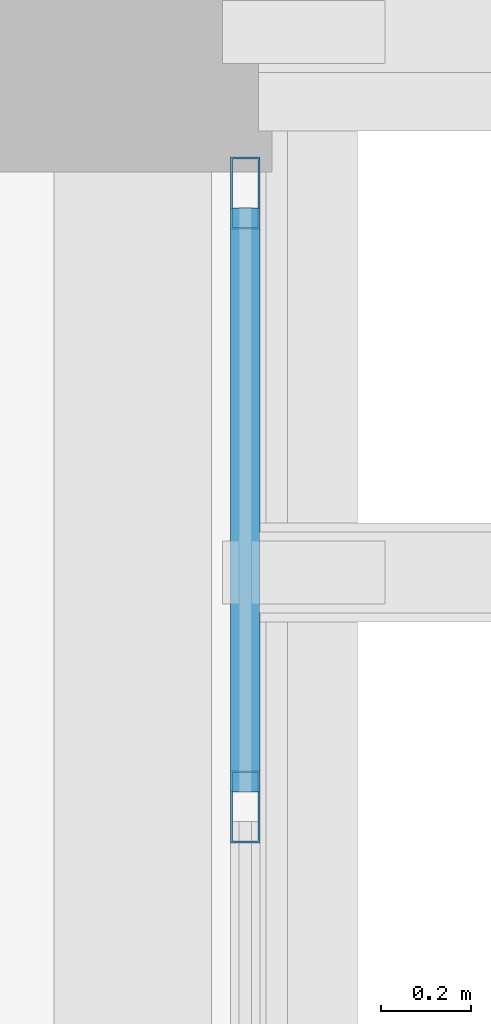
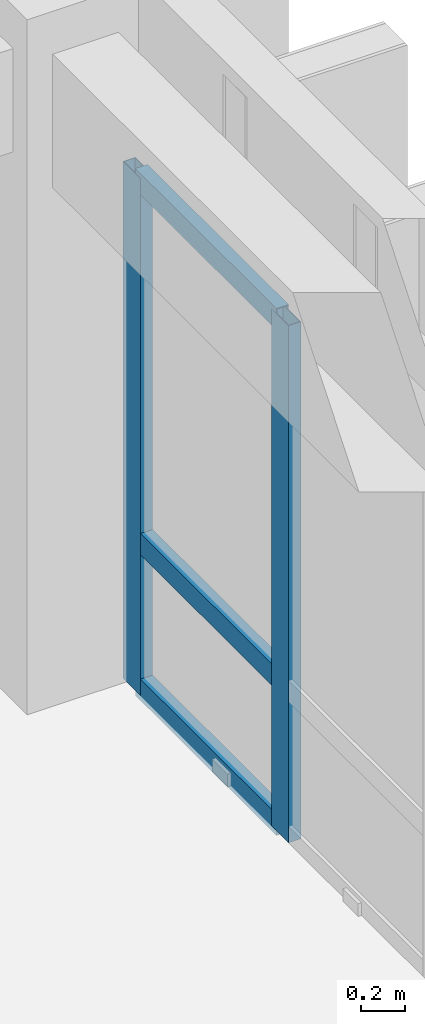
# One storey, part 17 of 50: 5 members, 1 element without a shape of its own.
"""IFC4 building model written with IfcOpenShell, lengths in metres."""

from ifc_helpers import new_model, si_unit, direction, frame, origin, origin_2d, place, context, subcontext, project, spatial, hollow_rectangle, extrude, material, layer, layer_set, material_profile, profile_set, type_object, element, aggregate, save


model = new_model("IFC4")

# Units and contexts
model_context = context("Model", 3, precision=1e-05, world=origin(), true_north=direction((0.0, 1.0)))
body_context = subcontext(model_context, "Body", "Model", "MODEL_VIEW")
ifc_project = project(units=[si_unit("LENGTHUNIT", "METRE"), si_unit("AREAUNIT", "SQUARE_METRE"), si_unit("VOLUMEUNIT", "CUBIC_METRE"), si_unit("PLANEANGLEUNIT", "RADIAN"), si_unit("MASSUNIT", "GRAM", prefix="KILO")], contexts=[model_context])

# Site, building, storey
site_placement = place(None, origin())
site = spatial("IfcSite", under=ifc_project, at=site_placement, CompositionType="ELEMENT")
building_placement = place(site_placement, origin())
building = spatial("IfcBuilding", under=site, at=building_placement, Name="Nakhvara Creek Congress Hotel", CompositionType="ELEMENT")
storey_placement = place(building_placement, frame((0.0, 0.0, 42.60009765625)))
storey = spatial("IfcBuildingStorey", under=building, at=storey_placement, Name="L10", CompositionType="ELEMENT", Elevation=42.60009765625)

# Curtain wall, members
ifc_material_1 = material(Name="Bronze-anodised aluminium AW-6063-T6 and double-silver low-E glass", Category="aluminium")
ifc_layer = layer(ifc_material_1, 0.199951171875)
ifc_layer_set = layer_set([ifc_layer], Name="Bronze-anodised aluminium AW-6063-T6 and double-silver low-E glass")
curtain_wall_type = type_object("IfcCurtainWallType", Name="CW-HTL-UNIT", PredefinedType="USERDEFINED", material=ifc_layer_set)
curtain_wall_placement = place(storey_placement, origin())
curtain_wall = element("IfcCurtainWall", 1, at=curtain_wall_placement, inside=storey, type_object=curtain_wall_type, Name="Curtain Wall CW320", ObjectType="UNITISED", PredefinedType="USERDEFINED")
ifc_material_2 = material(Name="Bronze-anodised aluminium AW-6063-T6", Category="aluminium")
ifc_material_profile_1 = material_profile(ifc_material_2, hollow_rectangle(XDim=0.06494140625, YDim=0.159912109375, WallThickness=0.00390625, at=origin_2d()), Name="ALU-MULL 65x160x4", Category="LoadBearing")
ifc_profile_set_1 = profile_set([ifc_material_profile_1], Name="Bronze-anodised aluminium AW-6063-T6")
member_type_1 = type_object("IfcMemberType", Name="CW-MULL-160", PredefinedType="MULLION", material=ifc_profile_set_1)
member_1_placement = place(storey_placement, frame((179.60009765625, 86.04248046875, 0.0), z_axis=(0.0, 0.0, 1.0), x_axis=(1.0, 0.0, 0.0)))
member_1 = element("IfcMember", 2, at=member_1_placement, type_object=member_type_1, Name="CW320 mullion 1", PredefinedType="MULLION", context=body_context, shape_type="SweptSolid", body=[
    extrude(hollow_rectangle(XDim=0.06494140625, YDim=0.159912109375, WallThickness=0.00390625, at=origin_2d()), origin(), (0.0, 0.0, 1.0), 2.90185546875),
])
member_2_placement = place(storey_placement, frame((179.60009765625, 84.679931640625, 0.0), z_axis=(0.0, 0.0, 1.0), x_axis=(1.0, 0.0, 0.0)))
member_2 = element("IfcMember", 3, at=member_2_placement, type_object=member_type_1, Name="CW320 mullion 2", PredefinedType="MULLION", context=body_context, shape_type="SweptSolid", body=[
    extrude(hollow_rectangle(XDim=0.06494140625, YDim=0.159912109375, WallThickness=0.00390625, at=origin_2d()), origin(), (0.0, 0.0, 1.0), 2.90185546875),
])
ifc_material_profile_2 = material_profile(ifc_material_2, hollow_rectangle(XDim=0.06494140625, YDim=0.1201171875, WallThickness=0.00390625, at=origin_2d()), Name="ALU-TRAN 65x120x4", Category="LoadBearing")
ifc_profile_set_2 = profile_set([ifc_material_profile_2], Name="Bronze-anodised aluminium AW-6063-T6")
member_type_2 = type_object("IfcMemberType", Name="CW-TRAN-120", PredefinedType="USERDEFINED", material=ifc_profile_set_2)
member_3_placement = place(storey_placement, frame((179.60009765625, 86.010009765625, 0.032470703125), z_axis=(0.0, -1.0, 0.0), x_axis=(1.0, 0.0, 0.0)))
member_3 = element("IfcMember", 4, at=member_3_placement, type_object=member_type_2, Name="CW320 transom 1.1", ObjectType="TRANSOM", PredefinedType="USERDEFINED", context=body_context, shape_type="SweptSolid", body=[
    extrude(hollow_rectangle(XDim=0.06494140625, YDim=0.1201171875, WallThickness=0.00390625, at=origin_2d()), origin(), (0.0, 0.0, 1.0), 1.297607421875),
])
member_4_placement = place(storey_placement, frame((179.60009765625, 86.010009765625, 0.849853515625), z_axis=(0.0, -1.0, 0.0), x_axis=(1.0, 0.0, 0.0)))
member_4 = element("IfcMember", 5, at=member_4_placement, type_object=member_type_2, Name="CW320 transom 1.2", ObjectType="TRANSOM", PredefinedType="USERDEFINED", context=body_context, shape_type="SweptSolid", body=[
    extrude(hollow_rectangle(XDim=0.06494140625, YDim=0.1201171875, WallThickness=0.00390625, at=origin_2d()), origin(), (0.0, 0.0, 1.0), 1.297607421875),
])
member_5_placement = place(storey_placement, frame((179.60009765625, 86.010009765625, 2.869384765625), z_axis=(0.0, -1.0, 0.0), x_axis=(1.0, 0.0, 0.0)))
member_5 = element("IfcMember", 6, at=member_5_placement, type_object=member_type_2, Name="CW320 transom 1.3", ObjectType="TRANSOM", PredefinedType="USERDEFINED", context=body_context, shape_type="SweptSolid", body=[
    extrude(hollow_rectangle(XDim=0.06494140625, YDim=0.1201171875, WallThickness=0.00390625, at=origin_2d()), origin(), (0.0, 0.0, 1.0), 1.297607421875),
])
aggregate(curtain_wall, [member_1, member_2, member_3, member_4, member_5])

save(model, "model.ifc")
